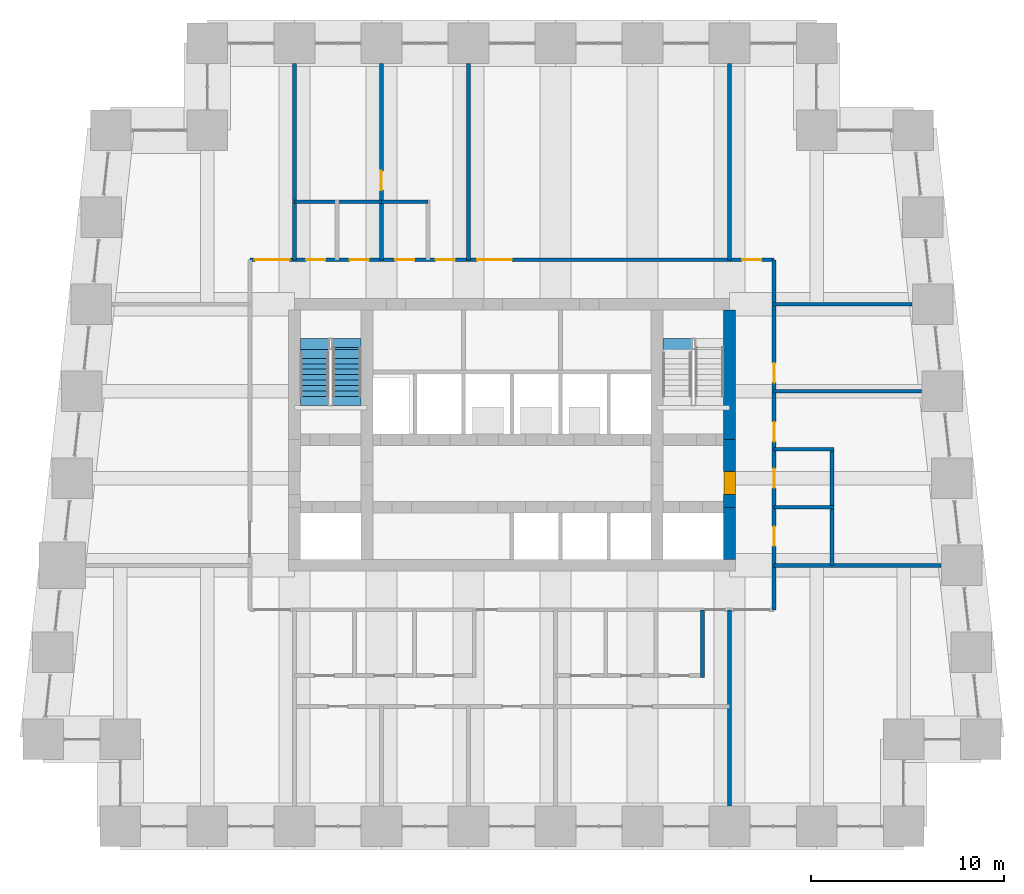
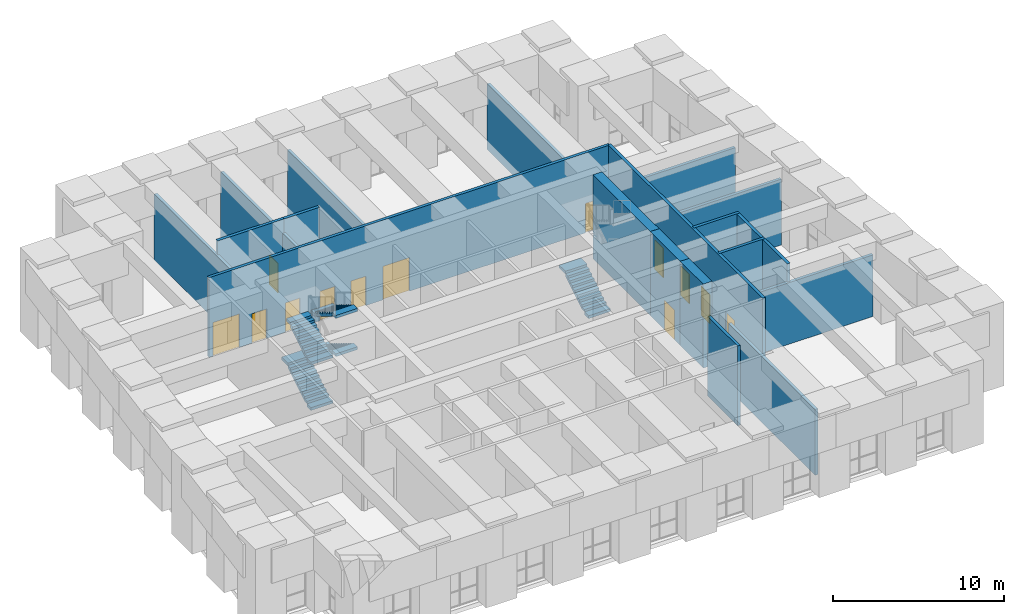
# One storey, part 13 of 17: 19 walls, 13 doors, 5 stair flights, 13 openings, 2 elements without a shape of their own.
"""IFC4 building model written with IfcOpenShell, lengths in metres."""

import ifcopenshell
import ifcopenshell.guid

model = None  # the IFC model being written
_history = None  # IfcOwnerHistory: only IFC2X3 demands one
_inside = {}  # id of a spatial element -> (the spatial element, [elements in it])
_under = {}  # id of a project, library or spatial element -> (it, [spatial elements below it])
_declared = {}  # id of a project -> (the project, [libraries it declares])
_typed = {}  # id of a type object -> (the type object, [elements of that type])
_made_of = {}  # id of a material, layer set ... -> (it, [elements and type objects made of it])


def new_model(schema):
    """Start an empty IFC model of exactly this schema.

    Asked for "IFC4X3", IfcOpenShell would pick the latest addendum, in which some entities
    have other attributes; the version numbers below select the first issue.
    IFC2X3 requires an IfcOwnerHistory on every rooted entity: one is made here for all.
    """
    global model, _history
    if schema == "IFC4X3":
        model = ifcopenshell.file(schema_version=(4, 3, 0, 0))
    else:
        model = ifcopenshell.file(schema=schema)
    _inside.clear()
    _under.clear()
    _declared.clear()
    _typed.clear()
    _made_of.clear()
    _history = None
    if model.schema == "IFC2X3":
        org = make("IfcOrganization", Name="unknown")
        user = make(
            "IfcPersonAndOrganization",
            ThePerson=make("IfcPerson", FamilyName="unknown"),
            TheOrganization=org,
        )
        app = make(
            "IfcApplication",
            ApplicationDeveloper=org,
            Version="unknown",
            ApplicationFullName="unknown",
            ApplicationIdentifier="unknown",
        )
        _history = make(
            "IfcOwnerHistory",
            OwningUser=user,
            OwningApplication=app,
            ChangeAction="ADDED",
            CreationDate=0,
        )
    return model


def make(cls, **values):
    """One entity of the class cls with the attributes given. An attribute that is None is left unset."""
    return model.create_entity(
        cls, **{name: value for name, value in values.items() if value is not None}
    )


def rooted(cls, **values):
    """An entity with a GlobalId (a new one), such as an element, a storey or a relation."""
    return make(cls, GlobalId=ifcopenshell.guid.new(), OwnerHistory=_history, **values)


def si_unit(unit_type, name, prefix=None):
    """IfcSIUnit, for example si_unit("LENGTHUNIT", "METRE", prefix="MILLI")."""
    return make("IfcSIUnit", UnitType=unit_type, Prefix=prefix, Name=name)


def assignment(units):
    """IfcUnitAssignment: the units of a project."""
    return None if units is None else make("IfcUnitAssignment", Units=units)


def point(xyz):
    """IfcCartesianPoint."""
    return None if xyz is None else make("IfcCartesianPoint", Coordinates=xyz)


def direction(xyz):
    """IfcDirection."""
    return None if xyz is None else make("IfcDirection", DirectionRatios=xyz)


def frame(location, z_axis=None, x_axis=None):
    """IfcAxis2Placement3D, a coordinate frame: its origin and axes. An axis left out is left unset."""
    return make(
        "IfcAxis2Placement3D",
        Location=point(location),
        Axis=direction(z_axis),
        RefDirection=direction(x_axis),
    )


def frame_2d(location, x_axis=None):
    """IfcAxis2Placement2D, a coordinate frame in the plane: its origin and x axis."""
    return make(
        "IfcAxis2Placement2D", Location=point(location), RefDirection=direction(x_axis)
    )


def origin():
    """The frame at (0, 0, 0) with its axes left unset."""
    return frame((0.0, 0.0, 0.0))


def place(relative_to, where):
    """IfcLocalPlacement: puts the frame where relative to a parent placement (None: the world)."""
    return make(
        "IfcLocalPlacement", PlacementRelTo=relative_to, RelativePlacement=where
    )


def context(
    kind, dimensions, precision=None, world=None, true_north=None, identifier=None
):
    """IfcGeometricRepresentationContext, for example the 3D "Model" context."""
    return make(
        "IfcGeometricRepresentationContext",
        ContextIdentifier=identifier,
        ContextType=kind,
        CoordinateSpaceDimension=dimensions,
        Precision=precision,
        WorldCoordinateSystem=world,
        TrueNorth=true_north,
    )


def subcontext(parent, identifier, kind, view, scale=None):
    """IfcGeometricRepresentationSubContext, for example "Body" below "Model"."""
    return make(
        "IfcGeometricRepresentationSubContext",
        ContextIdentifier=identifier,
        ContextType=kind,
        ParentContext=parent,
        TargetScale=scale,
        TargetView=view,
    )


def project(units=None, contexts=None):
    """IfcProject with its units and contexts."""
    return rooted(
        "IfcProject",
        Name="project",
        RepresentationContexts=contexts,
        UnitsInContext=assignment(units),
    )


def spatial(cls, under=None, at=None, **own):
    """A site, building, storey or space (cls), placed at a placement, below another one or the project."""
    s = rooted(cls, ObjectPlacement=at, **own)
    if under is not None:
        _under.setdefault(under.id(), (under, []))[1].append(s)
    return s


def polyline(points):
    """IfcPolyline through the points."""
    return make("IfcPolyline", Points=[point(p) for p in points])


def profile(cls, at=None, kind="AREA", **sizes):
    """A parametric profile (cls). Its sizes go by their IFC names, for example OverallWidth=200.0."""
    return make(cls, ProfileType=kind, Position=at, **sizes)


def rectangle(**sizes):
    """IfcRectangleProfileDef."""
    return profile("IfcRectangleProfileDef", **sizes)


def outline(outer, holes=None, kind="AREA"):
    """IfcArbitraryClosedProfileDef: a profile drawn as a closed curve; with holes, ...WithVoids."""
    if holes is None:
        return make("IfcArbitraryClosedProfileDef", ProfileType=kind, OuterCurve=outer)
    return make(
        "IfcArbitraryProfileDefWithVoids",
        ProfileType=kind,
        OuterCurve=outer,
        InnerCurves=holes,
    )


def extrude(swept, where, along, depth):
    """IfcExtrudedAreaSolid: the profile swept, set in the frame where, extruded along a direction by depth."""
    return make(
        "IfcExtrudedAreaSolid",
        SweptArea=swept,
        Position=where,
        ExtrudedDirection=direction(along),
        Depth=depth,
    )


def shape(context_of_items, identifier, shape_type, items):
    """IfcShapeRepresentation: the items that make up one representation, for example the "Body"."""
    return make(
        "IfcShapeRepresentation",
        ContextOfItems=context_of_items,
        RepresentationIdentifier=identifier,
        RepresentationType=shape_type,
        Items=items,
    )


def material(Name=None, Category=None):
    """IfcMaterial."""
    return make("IfcMaterial", Name=Name, Category=Category)


def layer(
    of_material, thickness, ventilated=None, Name=None, Category=None, Priority=None
):
    """IfcMaterialLayer: one layer of a wall or slab, of a material (None: an air gap)."""
    return make(
        "IfcMaterialLayer",
        Material=of_material,
        LayerThickness=thickness,
        IsVentilated=ventilated,
        Name=Name,
        Category=Category,
        Priority=Priority,
    )


def layer_set(layers, Name=None):
    """IfcMaterialLayerSet."""
    return make("IfcMaterialLayerSet", MaterialLayers=layers, LayerSetName=Name)


def made_of(thing, what):
    """Note that an element or type object is made of a material, layer set ...; save() writes the relation."""
    if what is not None:
        _made_of.setdefault(what.id(), (what, []))[1].append(thing)
    return thing


def type_object(cls, material=None, **own):
    """A type object (cls), such as IfcWallType, which elements share."""
    return made_of(rooted(cls, **own), material)


def element(
    cls,
    number,
    at=None,
    inside=None,
    cuts=None,
    type_object=None,
    material=None,
    context=None,
    identifier="Body",
    shape_type=None,
    held_by="IfcProductDefinitionShape",
    body=None,
    shapes=None,
    **own,
):
    """One element of the class cls, such as IfcWall. Its Tag is "e" and its number.

    at: its placement. inside: the storey or other place that contains it. cuts: it is an
    opening in that element (IfcRelVoidsElement). A single representation is given by context,
    identifier, shape_type and body (its items); several are given by shapes. held_by: the class
    of the entity that holds the representations. save() writes the other relations.
    """
    e = rooted(cls, Tag="e%d" % number, ObjectPlacement=at, **own)
    if body is not None:
        shapes = [shape(context, identifier, shape_type, body)]
    if shapes is not None:
        e.Representation = make(held_by, Representations=shapes)
    if inside is not None:
        _inside.setdefault(inside.id(), (inside, []))[1].append(e)
    if cuts is not None:
        rooted(
            "IfcRelVoidsElement", RelatingBuildingElement=cuts, RelatedOpeningElement=e
        )
    if type_object is not None:
        _typed.setdefault(type_object.id(), (type_object, []))[1].append(e)
    return made_of(e, material)


def fill(opening, filler):
    """IfcRelFillsElement: the door or window that sits in an opening."""
    return rooted(
        "IfcRelFillsElement",
        RelatingOpeningElement=opening,
        RelatedBuildingElement=filler,
    )


def aggregate(whole, parts):
    """IfcRelAggregates: a whole, such as a stair, and the parts it consists of."""
    return rooted("IfcRelAggregates", RelatingObject=whole, RelatedObjects=parts)


def save(model, path):
    """Write the relations noted so far, then the file.

    IfcRelAggregates (storeys below a building ...), IfcRelContainedInSpatialStructure (elements
    in a storey), IfcRelDefinesByType, IfcRelAssociatesMaterial and IfcRelDeclares: one each for
    every whole, place, type object, material and project.
    """
    for whole, parts in _under.values():
        aggregate(whole, parts)
    for where, things in _inside.values():
        rooted(
            "IfcRelContainedInSpatialStructure",
            RelatedElements=things,
            RelatingStructure=where,
        )
    for kind, things in _typed.values():
        rooted("IfcRelDefinesByType", RelatedObjects=things, RelatingType=kind)
    for what, things in _made_of.values():
        rooted("IfcRelAssociatesMaterial", RelatedObjects=things, RelatingMaterial=what)
    for by, libraries in _declared.values():
        rooted("IfcRelDeclares", RelatingContext=by, RelatedDefinitions=libraries)
    model.write(path)


model = new_model("IFC4")

# Units and contexts
model_context = context("Model", 3, precision=1e-05, world=origin(), true_north=direction((0.0, 1.0)))
body_context = subcontext(model_context, "Body", "Model", "MODEL_VIEW")
ifc_project = project(units=[si_unit("LENGTHUNIT", "METRE"), si_unit("AREAUNIT", "SQUARE_METRE"), si_unit("VOLUMEUNIT", "CUBIC_METRE"), si_unit("PLANEANGLEUNIT", "RADIAN"), si_unit("MASSUNIT", "GRAM", prefix="KILO")], contexts=[model_context])

# Site, building, storey
site_placement = place(None, origin())
site = spatial("IfcSite", under=ifc_project, at=site_placement, CompositionType="ELEMENT")
building_placement = place(site_placement, origin())
building = spatial("IfcBuilding", under=site, at=building_placement, Name="Kilele Tower Hotel", CompositionType="ELEMENT")
storey_placement = place(building_placement, frame((0.0, 0.0, 145.89990234375)))
storey = spatial("IfcBuildingStorey", under=building, at=storey_placement, Name="L38", CompositionType="ELEMENT", Elevation=145.89990234375)

# Wall
ifc_material_1 = material(Name="Concrete C60/75", Category="concrete")
ifc_layer_1 = layer(ifc_material_1, 0.60009765625)
ifc_layer_set_1 = layer_set([ifc_layer_1], Name="Concrete C60/75")
wall_type_1 = type_object("IfcWallType", Name="Core wall 600 C60/75", PredefinedType="SHEAR", material=ifc_layer_set_1)
wall_1_placement = place(storey_placement, frame((36.0, 13.800048828125, 0.0), z_axis=(0.0, 0.0, 1.0), x_axis=(0.0, 1.0, 0.0)))
element("IfcWall", 1, at=wall_1_placement, inside=storey, type_object=wall_type_1, Name="Core wall E1 L38", PredefinedType="SHEAR", context=body_context, shape_type="SweptSolid", body=[
    extrude(rectangle(XDim=2.699951171875, YDim=0.60009765625, at=frame_2d((1.35009765625, 0.0))), origin(), (0.0, 0.0, 1.0), 6.0),
])

# Wall, opening, door
wall_2_placement = place(storey_placement, frame((36.0, 16.5, 0.0), z_axis=(0.0, 0.0, 1.0), x_axis=(0.0, 1.0, 0.0)))
wall_2 = element("IfcWall", 2, at=wall_2_placement, inside=storey, type_object=wall_type_1, Name="Core wall E2 L38", PredefinedType="SHEAR", context=body_context, shape_type="SweptSolid", body=[
    extrude(rectangle(XDim=3.5, YDim=0.60009765625, at=frame_2d((1.75, 0.0))), origin(), (0.0, 0.0, 1.0), 6.0),
])
opening_1_placement = place(wall_2_placement, frame((0.64990234375, 0.0, 0.0)))
opening_1 = element("IfcOpeningElement", 3, at=opening_1_placement, cuts=wall_2, Name="Opening D4", PredefinedType="OPENING", context=body_context, shape_type="SweptSolid", body=[
    extrude(rectangle(XDim=1.199951171875, YDim=2.10009765625, at=frame_2d((0.60009765625, 1.050048828125))), frame((0.0, 0.31005859375, 0.0), z_axis=(0.0, -1.0, 0.0), x_axis=(1.0, 0.0, 0.0)), (0.0, 0.0, 1.0), 0.6201171875),
])
ifc_material_2 = material(Name="Timber door leaf in hardwood frame", Category="wood")
door_type_1 = type_object("IfcDoorType", Name="Firefighting lobby door 1200", OperationType="SINGLE_SWING_LEFT", PredefinedType="DOOR", material=ifc_material_2)
door_1_placement = place(opening_1_placement, origin())
door_1 = element("IfcDoor", 4, at=door_1_placement, inside=storey, type_object=door_type_1, Name="Lobby door L38", OperationType="SINGLE_SWING_LEFT", OverallHeight=2.10009765625, OverallWidth=1.199951171875, PredefinedType="DOOR", context=body_context, shape_type="SweptSolid", body=[
    extrude(rectangle(XDim=1.199951171875, YDim=2.10009765625, at=frame_2d((0.60009765625, 1.050048828125))), frame((0.0, 0.2998046875, 0.0), z_axis=(0.0, -1.0, 0.0), x_axis=(1.0, 0.0, 0.0)), (0.0, 0.0, 1.0), 0.599609375),
])
fill(opening_1, door_1)

# Wall
wall_3_placement = place(storey_placement, frame((36.0, 20.0, 0.0), z_axis=(0.0, 0.0, 1.0), x_axis=(0.0, 1.0, 0.0)))
element("IfcWall", 5, at=wall_3_placement, inside=storey, type_object=wall_type_1, Name="Core wall E3 L38", PredefinedType="SHEAR", context=body_context, shape_type="SweptSolid", body=[
    extrude(rectangle(XDim=6.699951171875, YDim=0.60009765625, at=frame_2d((3.35009765625, 0.0))), origin(), (0.0, 0.0, 1.0), 6.0),
])

# Wall, openings, doors
ifc_material_3 = material(Name="Blockwork, plastered both sides", Category="masonry")
ifc_layer_2 = layer(ifc_material_3, 0.199951171875)
ifc_layer_set_2 = layer_set([ifc_layer_2], Name="Blockwork, plastered both sides")
wall_type_2 = type_object("IfcWallType", Name="Corridor wall 200", PredefinedType="PARTITIONING", material=ifc_layer_set_2)
wall_4_placement = place(storey_placement, frame((38.300048828125, 11.199951171875, 0.0), z_axis=(0.0, 0.0, 1.0), x_axis=(0.0, 1.0, 0.0)))
wall_4 = element("IfcWall", 6, at=wall_4_placement, inside=storey, type_object=wall_type_2, Name="Corridor wall 200 L38", PredefinedType="PARTITIONING", context=body_context, shape_type="SweptSolid", body=[
    extrude(rectangle(XDim=18.10009765625, YDim=0.199951171875, at=frame_2d((9.050048828125, 0.0))), origin(), (0.0, 0.0, 1.0), 5.7001953125),
])
opening_2_placement = place(wall_4_placement, frame((4.300048828125, 0.0, 0.0), z_axis=(0.0, 0.0, 1.0), x_axis=(-1.0, 0.0, 0.0)))
opening_2 = element("IfcOpeningElement", 7, at=opening_2_placement, cuts=wall_4, Name="Opening D8", PredefinedType="OPENING", context=body_context, shape_type="SweptSolid", body=[
    extrude(rectangle(XDim=1.0, YDim=2.10009765625, at=frame_2d((0.5, 1.050048828125))), frame((0.0, 0.10986328125, 0.0), z_axis=(0.0, -1.0, 0.0), x_axis=(1.0, 0.0, 0.0)), (0.0, 0.0, 1.0), 0.219970703125),
])
opening_3_placement = place(wall_4_placement, frame((7.300048828125, 0.0, 0.0), z_axis=(0.0, 0.0, 1.0), x_axis=(-1.0, 0.0, 0.0)))
opening_3 = element("IfcOpeningElement", 8, at=opening_3_placement, cuts=wall_4, Name="Opening D8", PredefinedType="OPENING", context=body_context, shape_type="SweptSolid", body=[
    extrude(rectangle(XDim=1.0, YDim=2.10009765625, at=frame_2d((0.5, 1.050048828125))), frame((0.0, 0.10986328125, 0.0), z_axis=(0.0, -1.0, 0.0), x_axis=(1.0, 0.0, 0.0)), (0.0, 0.0, 1.0), 0.219970703125),
])
opening_4_placement = place(wall_4_placement, frame((9.699951171875, 0.0, 0.0), z_axis=(0.0, 0.0, 1.0), x_axis=(-1.0, 0.0, 0.0)))
opening_4 = element("IfcOpeningElement", 9, at=opening_4_placement, cuts=wall_4, Name="Opening D8", PredefinedType="OPENING", context=body_context, shape_type="SweptSolid", body=[
    extrude(rectangle(XDim=1.0, YDim=2.10009765625, at=frame_2d((0.5, 1.050048828125))), frame((0.0, 0.10986328125, 0.0), z_axis=(0.0, -1.0, 0.0), x_axis=(1.0, 0.0, 0.0)), (0.0, 0.0, 1.0), 0.219970703125),
])
opening_5_placement = place(wall_4_placement, frame((12.75, 0.0, 0.0), z_axis=(0.0, 0.0, 1.0), x_axis=(-1.0, 0.0, 0.0)))
opening_5 = element("IfcOpeningElement", 10, at=opening_5_placement, cuts=wall_4, Name="Opening D8", PredefinedType="OPENING", context=body_context, shape_type="SweptSolid", body=[
    extrude(rectangle(XDim=1.0, YDim=2.10009765625, at=frame_2d((0.5, 1.050048828125))), frame((0.0, 0.10986328125, 0.0), z_axis=(0.0, -1.0, 0.0), x_axis=(1.0, 0.0, 0.0)), (0.0, 0.0, 1.0), 0.219970703125),
])
ifc_material_4 = material(Name="Timber door leaf in hardwood frame", Category="wood")
door_type_2 = type_object("IfcDoorType", Name="Door 1000", OperationType="SINGLE_SWING_LEFT", PredefinedType="DOOR", material=ifc_material_4)
door_2_placement = place(opening_2_placement, origin())
door_2 = element("IfcDoor", 11, at=door_2_placement, inside=storey, type_object=door_type_2, Name="Door Spa treatment room 4 3813", OperationType="SINGLE_SWING_RIGHT", OverallHeight=2.10009765625, OverallWidth=1.0, PredefinedType="DOOR", context=body_context, shape_type="SweptSolid", body=[
    extrude(rectangle(XDim=1.0, YDim=2.10009765625, at=frame_2d((0.5, 1.050048828125))), frame((0.0, 0.02490234375, 0.0), z_axis=(0.0, -1.0, 0.0), x_axis=(1.0, 0.0, 0.0)), (0.0, 0.0, 1.0), 0.050048828125),
])
fill(opening_2, door_2)
door_3_placement = place(opening_3_placement, origin())
door_3 = element("IfcDoor", 12, at=door_3_placement, inside=storey, type_object=door_type_2, Name="Door Spa treatment room 5 3814", OperationType="SINGLE_SWING_RIGHT", OverallHeight=2.10009765625, OverallWidth=1.0, PredefinedType="DOOR", context=body_context, shape_type="SweptSolid", body=[
    extrude(rectangle(XDim=1.0, YDim=2.10009765625, at=frame_2d((0.5, 1.050048828125))), frame((0.0, 0.02490234375, 0.0), z_axis=(0.0, -1.0, 0.0), x_axis=(1.0, 0.0, 0.0)), (0.0, 0.0, 1.0), 0.050048828125),
])
fill(opening_3, door_3)
door_4_placement = place(opening_4_placement, origin())
door_4 = element("IfcDoor", 13, at=door_4_placement, inside=storey, type_object=door_type_2, Name="Door Spa changing room 3815", OperationType="SINGLE_SWING_RIGHT", OverallHeight=2.10009765625, OverallWidth=1.0, PredefinedType="DOOR", context=body_context, shape_type="SweptSolid", body=[
    extrude(rectangle(XDim=1.0, YDim=2.10009765625, at=frame_2d((0.5, 1.050048828125))), frame((0.0, 0.02490234375, 0.0), z_axis=(0.0, -1.0, 0.0), x_axis=(1.0, 0.0, 0.0)), (0.0, 0.0, 1.0), 0.050048828125),
])
fill(opening_4, door_4)
door_5_placement = place(opening_5_placement, origin())
door_5 = element("IfcDoor", 14, at=door_5_placement, inside=storey, type_object=door_type_2, Name="Door Spa linen store 3816", OperationType="SINGLE_SWING_RIGHT", OverallHeight=2.10009765625, OverallWidth=1.0, PredefinedType="DOOR", context=body_context, shape_type="SweptSolid", body=[
    extrude(rectangle(XDim=1.0, YDim=2.10009765625, at=frame_2d((0.5, 1.050048828125))), frame((0.0, 0.02490234375, 0.0), z_axis=(0.0, -1.0, 0.0), x_axis=(1.0, 0.0, 0.0)), (0.0, 0.0, 1.0), 0.050048828125),
])
fill(opening_5, door_5)

wall_5_placement = place(storey_placement, frame((11.199951171875, 29.300048828125, 0.0), z_axis=(0.0, 0.0, 1.0), x_axis=(1.0, 0.0, 0.0)))
wall_5 = element("IfcWall", 15, at=wall_5_placement, inside=storey, type_object=wall_type_2, Name="Corridor wall 200 L38", PredefinedType="PARTITIONING", context=body_context, shape_type="SweptSolid", body=[
    extrude(rectangle(XDim=27.10009765625, YDim=0.199951171875, at=frame_2d((13.550048828125, 0.0))), origin(), (0.0, 0.0, 1.0), 5.7001953125),
])
opening_6_placement = place(wall_5_placement, frame((2.89990234375, 0.0, 0.0)))
opening_6 = element("IfcOpeningElement", 16, at=opening_6_placement, cuts=wall_5, Name="Opening D8", PredefinedType="OPENING", context=body_context, shape_type="SweptSolid", body=[
    extrude(rectangle(XDim=1.0, YDim=2.10009765625, at=frame_2d((0.5, 1.050048828125))), frame((0.0, 0.10986328125, 0.0), z_axis=(0.0, -1.0, 0.0), x_axis=(1.0, 0.0, 0.0)), (0.0, 0.0, 1.0), 0.219970703125),
])
opening_7_placement = place(wall_5_placement, frame((5.14990234375, 0.0, 0.0)))
opening_7 = element("IfcOpeningElement", 17, at=opening_7_placement, cuts=wall_5, Name="Opening D8", PredefinedType="OPENING", context=body_context, shape_type="SweptSolid", body=[
    extrude(rectangle(XDim=1.0, YDim=2.10009765625, at=frame_2d((0.5, 1.050048828125))), frame((0.0, 0.10986328125, 0.0), z_axis=(0.0, -1.0, 0.0), x_axis=(1.0, 0.0, 0.0)), (0.0, 0.0, 1.0), 0.219970703125),
])
opening_8_placement = place(wall_5_placement, frame((7.5, 0.0, 0.0)))
opening_8 = element("IfcOpeningElement", 18, at=opening_8_placement, cuts=wall_5, Name="Opening D8", PredefinedType="OPENING", context=body_context, shape_type="SweptSolid", body=[
    extrude(rectangle(XDim=1.0, YDim=2.10009765625, at=frame_2d((0.5, 1.050048828125))), frame((0.0, 0.10986328125, 0.0), z_axis=(0.0, -1.0, 0.0), x_axis=(1.0, 0.0, 0.0)), (0.0, 0.0, 1.0), 0.219970703125),
])
opening_9_placement = place(wall_5_placement, frame((9.60009765625, 0.0, 0.0)))
opening_9 = element("IfcOpeningElement", 19, at=opening_9_placement, cuts=wall_5, Name="Opening D8", PredefinedType="OPENING", context=body_context, shape_type="SweptSolid", body=[
    extrude(rectangle(XDim=1.0, YDim=2.10009765625, at=frame_2d((0.5, 1.050048828125))), frame((0.0, 0.10986328125, 0.0), z_axis=(0.0, -1.0, 0.0), x_axis=(1.0, 0.0, 0.0)), (0.0, 0.0, 1.0), 0.219970703125),
])
opening_10_placement = place(wall_5_placement, frame((11.75, 0.0, 0.0)))
opening_10 = element("IfcOpeningElement", 20, at=opening_10_placement, cuts=wall_5, Name="Opening D9", PredefinedType="OPENING", context=body_context, shape_type="SweptSolid", body=[
    extrude(rectangle(XDim=1.800048828125, YDim=2.39990234375, at=frame_2d((0.89990234375, 1.199951171875))), frame((0.0, 0.10986328125, 0.0), z_axis=(0.0, -1.0, 0.0), x_axis=(1.0, 0.0, 0.0)), (0.0, 0.0, 1.0), 0.219970703125),
])
opening_11_placement = place(wall_5_placement, frame((2.050048828125, 0.0, 0.0), z_axis=(0.0, 0.0, 1.0), x_axis=(-1.0, 0.0, 0.0)))
opening_11 = element("IfcOpeningElement", 21, at=opening_11_placement, cuts=wall_5, Name="Opening D9", PredefinedType="OPENING", context=body_context, shape_type="SweptSolid", body=[
    extrude(rectangle(XDim=1.800048828125, YDim=2.39990234375, at=frame_2d((0.89990234375, 1.199951171875))), frame((0.0, 0.10986328125, 0.0), z_axis=(0.0, -1.0, 0.0), x_axis=(1.0, 0.0, 0.0)), (0.0, 0.0, 1.0), 0.219970703125),
])
opening_12_placement = place(wall_5_placement, frame((25.449951171875, 0.0, 0.0)))
opening_12 = element("IfcOpeningElement", 22, at=opening_12_placement, cuts=wall_5, Name="Opening D8", PredefinedType="OPENING", context=body_context, shape_type="SweptSolid", body=[
    extrude(rectangle(XDim=1.0, YDim=2.10009765625, at=frame_2d((0.5, 1.050048828125))), frame((0.0, 0.10986328125, 0.0), z_axis=(0.0, -1.0, 0.0), x_axis=(1.0, 0.0, 0.0)), (0.0, 0.0, 1.0), 0.219970703125),
])
door_6_placement = place(opening_6_placement, origin())
door_6 = element("IfcDoor", 23, at=door_6_placement, inside=storey, type_object=door_type_2, Name="Door WC women 3817", OperationType="SINGLE_SWING_LEFT", OverallHeight=2.10009765625, OverallWidth=1.0, PredefinedType="DOOR", context=body_context, shape_type="SweptSolid", body=[
    extrude(rectangle(XDim=1.0, YDim=2.10009765625, at=frame_2d((0.5, 1.050048828125))), frame((0.0, 0.02490234375, 0.0), z_axis=(0.0, -1.0, 0.0), x_axis=(1.0, 0.0, 0.0)), (0.0, 0.0, 1.0), 0.050048828125),
])
fill(opening_6, door_6)
door_7_placement = place(opening_7_placement, origin())
door_7 = element("IfcDoor", 24, at=door_7_placement, inside=storey, type_object=door_type_2, Name="Door WC men 3818", OperationType="SINGLE_SWING_LEFT", OverallHeight=2.10009765625, OverallWidth=1.0, PredefinedType="DOOR", context=body_context, shape_type="SweptSolid", body=[
    extrude(rectangle(XDim=1.0, YDim=2.10009765625, at=frame_2d((0.5, 1.050048828125))), frame((0.0, 0.02490234375, 0.0), z_axis=(0.0, -1.0, 0.0), x_axis=(1.0, 0.0, 0.0)), (0.0, 0.0, 1.0), 0.050048828125),
])
fill(opening_7, door_7)
door_8_placement = place(opening_8_placement, origin())
door_8 = element("IfcDoor", 25, at=door_8_placement, inside=storey, type_object=door_type_2, Name="Door Accessible WC 3820", OperationType="SINGLE_SWING_LEFT", OverallHeight=2.10009765625, OverallWidth=1.0, PredefinedType="DOOR", context=body_context, shape_type="SweptSolid", body=[
    extrude(rectangle(XDim=1.0, YDim=2.10009765625, at=frame_2d((0.5, 1.050048828125))), frame((0.0, 0.02490234375, 0.0), z_axis=(0.0, -1.0, 0.0), x_axis=(1.0, 0.0, 0.0)), (0.0, 0.0, 1.0), 0.050048828125),
])
fill(opening_8, door_8)
door_9_placement = place(opening_9_placement, origin())
door_9 = element("IfcDoor", 26, at=door_9_placement, inside=storey, type_object=door_type_2, Name="Door Concierge office 3821", OperationType="SINGLE_SWING_LEFT", OverallHeight=2.10009765625, OverallWidth=1.0, PredefinedType="DOOR", context=body_context, shape_type="SweptSolid", body=[
    extrude(rectangle(XDim=1.0, YDim=2.10009765625, at=frame_2d((0.5, 1.050048828125))), frame((0.0, 0.02490234375, 0.0), z_axis=(0.0, -1.0, 0.0), x_axis=(1.0, 0.0, 0.0)), (0.0, 0.0, 1.0), 0.050048828125),
])
fill(opening_9, door_9)
door_10_placement = place(opening_12_placement, origin())
door_10 = element("IfcDoor", 27, at=door_10_placement, inside=storey, type_object=door_type_2, Name="Door Back-of-house office 3827", OperationType="SINGLE_SWING_LEFT", OverallHeight=2.10009765625, OverallWidth=1.0, PredefinedType="DOOR", context=body_context, shape_type="SweptSolid", body=[
    extrude(rectangle(XDim=1.0, YDim=2.10009765625, at=frame_2d((0.5, 1.050048828125))), frame((0.0, 0.02490234375, 0.0), z_axis=(0.0, -1.0, 0.0), x_axis=(1.0, 0.0, 0.0)), (0.0, 0.0, 1.0), 0.050048828125),
])
fill(opening_12, door_10)
ifc_material_5 = material(Name="Timber door leaf in hardwood frame", Category="wood")
door_type_3 = type_object("IfcDoorType", Name="Double door 1800", OperationType="DOUBLE_DOOR_SINGLE_SWING", PredefinedType="DOOR", material=ifc_material_5)
door_11_placement = place(opening_10_placement, origin())
door_11 = element("IfcDoor", 28, at=door_11_placement, inside=storey, type_object=door_type_3, Name="Door Reception and concierge 3822", OperationType="DOUBLE_DOOR_SINGLE_SWING", OverallHeight=2.39990234375, OverallWidth=1.800048828125, PredefinedType="DOOR", context=body_context, shape_type="SweptSolid", body=[
    extrude(rectangle(XDim=1.800048828125, YDim=2.39990234375, at=frame_2d((0.89990234375, 1.199951171875))), frame((0.0, 0.02490234375, 0.0), z_axis=(0.0, -1.0, 0.0), x_axis=(1.0, 0.0, 0.0)), (0.0, 0.0, 1.0), 0.050048828125),
])
fill(opening_10, door_11)
door_12_placement = place(opening_11_placement, origin())
door_12 = element("IfcDoor", 29, at=door_12_placement, inside=storey, type_object=door_type_3, Name="Door Pool hall 3826", OperationType="DOUBLE_DOOR_SINGLE_SWING", OverallHeight=2.39990234375, OverallWidth=1.800048828125, PredefinedType="DOOR", context=body_context, shape_type="SweptSolid", body=[
    extrude(rectangle(XDim=1.800048828125, YDim=2.39990234375, at=frame_2d((0.89990234375, 1.199951171875))), frame((0.0, 0.02490234375, 0.0), z_axis=(0.0, -1.0, 0.0), x_axis=(1.0, 0.0, 0.0)), (0.0, 0.0, 1.0), 0.050048828125),
])
fill(opening_11, door_12)

# Walls
ifc_material_6 = material(Name="Blockwork, plastered both sides", Category="masonry")
ifc_layer_3 = layer(ifc_material_6, 0.199951171875)
ifc_layer_set_3 = layer_set([ifc_layer_3], Name="Blockwork, plastered both sides")
wall_type_3 = type_object("IfcWallType", Name="Partition wall 200", PredefinedType="PARTITIONING", material=ifc_layer_set_3)
wall_6_placement = place(storey_placement, frame((36.0, 11.199951171875, 0.0), z_axis=(0.0, 0.0, 1.0), x_axis=(0.0, -1.0, 0.0)))
element("IfcWall", 30, at=wall_6_placement, inside=storey, type_object=wall_type_3, Name="Partition wall 200 L38", PredefinedType="PARTITIONING", context=body_context, shape_type="SweptSolid", body=[
    extrude(rectangle(XDim=10.14990234375, YDim=0.199951171875, at=frame_2d((5.074951171875, 0.0))), origin(), (0.0, 0.0, 1.0), 4.7001953125),
])
wall_7_placement = place(storey_placement, frame((38.300048828125, 13.5, 0.0), z_axis=(0.0, 0.0, 1.0), x_axis=(1.0, 0.0, 0.0)))
element("IfcWall", 31, at=wall_7_placement, inside=storey, type_object=wall_type_3, Name="Partition wall 200 L38", PredefinedType="PARTITIONING", context=body_context, shape_type="SweptSolid", body=[
    extrude(rectangle(XDim=8.63916015625, YDim=0.199951171875, at=frame_2d((4.319580078125, 0.0))), origin(), (0.0, 0.0, 1.0), 4.400146484375),
])
wall_8_placement = place(storey_placement, frame((38.300048828125, 22.5, 0.0), z_axis=(0.0, 0.0, 1.0), x_axis=(1.0, 0.0, 0.0)))
element("IfcWall", 32, at=wall_8_placement, inside=storey, type_object=wall_type_3, Name="Partition wall 200 L38", PredefinedType="PARTITIONING", context=body_context, shape_type="SweptSolid", body=[
    extrude(rectangle(XDim=7.63916015625, YDim=0.199951171875, at=frame_2d((3.819580078125, 0.0))), origin(), (0.0, 0.0, 1.0), 4.7001953125),
])
wall_9_placement = place(storey_placement, frame((38.300048828125, 27.0, 0.0), z_axis=(0.0, 0.0, 1.0), x_axis=(1.0, 0.0, 0.0)))
element("IfcWall", 33, at=wall_9_placement, inside=storey, type_object=wall_type_3, Name="Partition wall 200 L38", PredefinedType="PARTITIONING", context=body_context, shape_type="SweptSolid", body=[
    extrude(rectangle(XDim=7.13916015625, YDim=0.199951171875, at=frame_2d((3.569580078125, 0.0))), origin(), (0.0, 0.0, 1.0), 4.400146484375),
])
wall_10_placement = place(storey_placement, frame((13.5, 29.300048828125, 0.0), z_axis=(0.0, 0.0, 1.0), x_axis=(0.0, 1.0, 0.0)))
element("IfcWall", 34, at=wall_10_placement, inside=storey, type_object=wall_type_3, Name="Partition wall 200 L38", PredefinedType="PARTITIONING", context=body_context, shape_type="SweptSolid", body=[
    extrude(rectangle(XDim=10.14990234375, YDim=0.199951171875, at=frame_2d((5.074951171875, 0.0))), origin(), (0.0, 0.0, 1.0), 4.7001953125),
])

# Wall, opening, door
wall_11_placement = place(storey_placement, frame((18.0, 29.300048828125, 0.0), z_axis=(0.0, 0.0, 1.0), x_axis=(0.0, 1.0, 0.0)))
wall_11 = element("IfcWall", 35, at=wall_11_placement, inside=storey, type_object=wall_type_3, Name="Partition wall 200 L38", PredefinedType="PARTITIONING", context=body_context, shape_type="SweptSolid", body=[
    extrude(rectangle(XDim=10.14990234375, YDim=0.199951171875, at=frame_2d((5.074951171875, 0.0))), origin(), (0.0, 0.0, 1.0), 4.7001953125),
])
opening_13_placement = place(wall_11_placement, frame((3.60009765625, 0.0, 0.0)))
opening_13 = element("IfcOpeningElement", 36, at=opening_13_placement, cuts=wall_11, Name="Opening D8", PredefinedType="OPENING", context=body_context, shape_type="SweptSolid", body=[
    extrude(rectangle(XDim=1.0, YDim=2.10009765625, at=frame_2d((0.5, 1.050048828125))), frame((0.0, 0.10986328125, 0.0), z_axis=(0.0, -1.0, 0.0), x_axis=(1.0, 0.0, 0.0)), (0.0, 0.0, 1.0), 0.219970703125),
])
door_13_placement = place(opening_13_placement, origin())
door_13 = element("IfcDoor", 37, at=door_13_placement, inside=storey, type_object=door_type_2, Name="Door Porters' luggage store", OperationType="SINGLE_SWING_LEFT", OverallHeight=2.10009765625, OverallWidth=1.0, PredefinedType="DOOR", context=body_context, shape_type="SweptSolid", body=[
    extrude(rectangle(XDim=1.0, YDim=2.10009765625, at=frame_2d((0.5, 1.050048828125))), frame((0.0, 0.02490234375, 0.0), z_axis=(0.0, -1.0, 0.0), x_axis=(1.0, 0.0, 0.0)), (0.0, 0.0, 1.0), 0.050048828125),
])
fill(opening_13, door_13)

# Walls
for number, where, z_axis, x_axis, name in (
    (38, (22.5, 29.300048828125, 0.0), (0.0, 0.0, 1.0), (0.0, 1.0, 0.0), "Partition wall 200 L38"),
    (39, (36.0, 29.300048828125, 0.0), (0.0, 0.0, 1.0), (0.0, 1.0, 0.0), "Partition wall 200 L38"),
):
    element("IfcWall", number, at=place(storey_placement, frame(where, z_axis=z_axis, x_axis=x_axis)), inside=storey, type_object=wall_type_3, Name=name, PredefinedType="PARTITIONING", context=body_context, shape_type="SweptSolid", body=[
        extrude(rectangle(XDim=10.14990234375, YDim=0.199951171875, at=frame_2d((5.074951171875, 0.0))), origin(), (0.0, 0.0, 1.0), 4.7001953125),
    ])
wall_12_placement = place(storey_placement, frame((34.60009765625, 11.199951171875, 0.0), z_axis=(0.0, 0.0, 1.0), x_axis=(0.0, -1.0, 0.0)))
element("IfcWall", 40, at=wall_12_placement, inside=storey, type_object=wall_type_3, Name="Partition wall 200 L38", PredefinedType="PARTITIONING", context=body_context, shape_type="SweptSolid", body=[
    extrude(rectangle(XDim=3.5, YDim=0.199951171875, at=frame_2d((1.75, 0.0))), origin(), (0.0, 0.0, 1.0), 5.7001953125),
])
for number, where, z_axis, x_axis, name in (
    (41, (38.300048828125, 16.5, 0.0), (0.0, 0.0, 1.0), (1.0, 0.0, 0.0), "Partition wall 200 L38"),
    (42, (38.300048828125, 19.5, 0.0), (0.0, 0.0, 1.0), (1.0, 0.0, 0.0), "Partition wall 200 L38"),
):
    element("IfcWall", number, at=place(storey_placement, frame(where, z_axis=z_axis, x_axis=x_axis)), inside=storey, type_object=wall_type_3, Name=name, PredefinedType="PARTITIONING", context=body_context, shape_type="SweptSolid", body=[
        extrude(rectangle(XDim=3.099853515625, YDim=0.199951171875, at=frame_2d((1.5498046875, 0.0))), origin(), (0.0, 0.0, 1.0), 5.7001953125),
    ])
wall_13_placement = place(storey_placement, frame((41.300048828125, 13.5, 0.0), z_axis=(0.0, 0.0, 1.0), x_axis=(0.0, 1.0, 0.0)))
element("IfcWall", 43, at=wall_13_placement, inside=storey, type_object=wall_type_3, Name="Partition wall 200 L38", PredefinedType="PARTITIONING", context=body_context, shape_type="SweptSolid", body=[
    extrude(rectangle(XDim=6.0, YDim=0.199951171875, at=frame_2d((3.0, 0.0))), origin(), (0.0, 0.0, 1.0), 5.7001953125),
])
wall_14_placement = place(storey_placement, frame((13.5, 32.300048828125, 0.0), z_axis=(0.0, 0.0, 1.0), x_axis=(1.0, 0.0, 0.0)))
element("IfcWall", 44, at=wall_14_placement, inside=storey, type_object=wall_type_3, Name="Partition wall 200 L38", PredefinedType="PARTITIONING", context=body_context, shape_type="SweptSolid", body=[
    extrude(rectangle(XDim=4.5, YDim=0.199951171875, at=frame_2d((2.25, 0.0))), origin(), (0.0, 0.0, 1.0), 5.7001953125),
])
wall_15_placement = place(storey_placement, frame((18.0, 32.300048828125, 0.0), z_axis=(0.0, 0.0, 1.0), x_axis=(1.0, 0.0, 0.0)))
element("IfcWall", 45, at=wall_15_placement, inside=storey, type_object=wall_type_3, Name="Partition wall 200 L38", PredefinedType="PARTITIONING", context=body_context, shape_type="SweptSolid", body=[
    extrude(rectangle(XDim=2.39990234375, YDim=0.199951171875, at=frame_2d((1.199951171875, 0.0))), origin(), (0.0, 0.0, 1.0), 5.7001953125),
])

# Stair, stair flights
ifc_material_7 = material(Name="Precast concrete C40/50", Category="concrete")
stair_type = type_object("IfcStairType", Name="Stair 1475 x 6000", PredefinedType="HALF_TURN_STAIR", material=ifc_material_7)
stair_1_placement = place(storey_placement, origin())
stair_1 = element("IfcStair", 46, at=stair_1_placement, inside=storey, type_object=stair_type, Name="Stair 1 L38", PredefinedType="HALF_TURN_STAIR")
ifc_material_8 = material(Name="Precast concrete C40/50", Category="concrete")
stair_flight_type = type_object("IfcStairFlightType", Name="Flight 1475 riser 171.4", PredefinedType="STRAIGHT", material=ifc_material_8)
stair_flight_1_placement = place(storey_placement, frame((14.53759765625, 22.239990234375, 0.0), z_axis=(0.0, 0.0, 1.0), x_axis=(0.0, 1.0, 0.0)))
stair_flight_1 = element("IfcStairFlight", 47, at=stair_flight_1_placement, type_object=stair_flight_type, Name="ST1 flight 1", NumberOfRisers=9, NumberOfTreads=8, PredefinedType="STRAIGHT", RiserHeight=0.171428571, TreadLength=0.28, context=body_context, shape_type="SweptSolid", body=[
    extrude(outline(polyline([(0.0, 0.0), (0.0, 0.17138671875), (0.280029296875, 0.17138671875), (0.280029296875, 0.3427734375), (0.56005859375, 0.3427734375), (0.56005859375, 0.514404296875), (0.840087890625, 0.514404296875), (0.840087890625, 0.685791015625), (1.1201171875, 0.685791015625), (1.1201171875, 0.857177734375), (1.39990234375, 0.857177734375), (1.39990234375, 1.028564453125), (1.679931640625, 1.028564453125), (1.679931640625, 1.199951171875), (1.9599609375, 1.199951171875), (1.9599609375, 1.371337890625), (2.239990234375, 1.371337890625), (2.239990234375, 1.54296875), (2.239990234375, 1.195556640625), (0.287109375, 0.0), (0.0, 0.0)])), frame((0.0, 0.737548828125, 0.0), z_axis=(0.0, -1.0, 0.0), x_axis=(1.0, 0.0, 0.0)), (0.0, 0.0, 1.0), 1.47509765625),
    extrude(outline(polyline([(-0.465087890625, 0.737548828125), (-0.465087890625, -0.7373046875), (0.0, -0.7373046875), (0.0, 0.737548828125), (-0.465087890625, 0.737548828125)])), frame((0.0, 0.0, -0.199951171875)), (0.0, 0.0, 1.0), 0.199951171875),
    extrude(outline(polyline([(2.239990234375, 0.737548828125), (2.239990234375, -0.7373046875), (2.985107421875, -0.7373046875), (2.985107421875, 0.737548828125), (2.239990234375, 0.737548828125)])), frame((0.0, 0.0, 1.343017578125)), (0.0, 0.0, 1.0), 0.199951171875),
])
stair_flight_2_placement = place(storey_placement, frame((16.21240234375, 24.760009765625, 1.54296875), z_axis=(0.0, 0.0, 1.0), x_axis=(0.0, -1.0, 0.0)))
stair_flight_2 = element("IfcStairFlight", 48, at=stair_flight_2_placement, type_object=stair_flight_type, Name="ST1 flight 2", NumberOfRisers=10, NumberOfTreads=9, PredefinedType="STRAIGHT", RiserHeight=0.171428571, TreadLength=0.28, context=body_context, shape_type="SweptSolid", body=[
    extrude(outline(polyline([(0.0, 0.0), (0.0, 0.17138671875), (0.280029296875, 0.17138671875), (0.280029296875, 0.3427734375), (0.56005859375, 0.3427734375), (0.56005859375, 0.514404296875), (0.840087890625, 0.514404296875), (0.840087890625, 0.685791015625), (1.1201171875, 0.685791015625), (1.1201171875, 0.857177734375), (1.39990234375, 0.857177734375), (1.39990234375, 1.028564453125), (1.679931640625, 1.028564453125), (1.679931640625, 1.199951171875), (1.9599609375, 1.199951171875), (1.9599609375, 1.371337890625), (2.239990234375, 1.371337890625), (2.239990234375, 1.54296875), (2.52001953125, 1.54296875), (2.52001953125, 1.71435546875), (2.52001953125, 1.3671875), (0.287109375, 0.0), (0.0, 0.0)])), frame((0.0, 0.737548828125, 0.0), z_axis=(0.0, -1.0, 0.0), x_axis=(1.0, 0.0, 0.0)), (0.0, 0.0, 1.0), 1.47509765625),
    extrude(outline(polyline([(0.0, -0.7373046875), (0.0, 0.737548828125), (-0.465087890625, 0.737548828125), (-0.465087890625, -0.7373046875), (0.0, -0.7373046875)])), frame((0.0, 0.0, -0.199951171875)), (0.0, 0.0, 1.0), 0.199951171875),
    extrude(outline(polyline([(2.985107421875, -0.7373046875), (2.985107421875, 0.737548828125), (2.52001953125, 0.737548828125), (2.52001953125, -0.7373046875), (2.985107421875, -0.7373046875)])), frame((0.0, 0.0, 1.51416015625)), (0.0, 0.0, 1.0), 0.199951171875),
])
stair_flight_3_placement = place(storey_placement, frame((14.53759765625, 22.239990234375, 3.25732421875), z_axis=(0.0, 0.0, 1.0), x_axis=(0.0, 1.0, 0.0)))
stair_flight_3 = element("IfcStairFlight", 49, at=stair_flight_3_placement, type_object=stair_flight_type, Name="ST1 flight 3", NumberOfRisers=8, NumberOfTreads=7, PredefinedType="STRAIGHT", RiserHeight=0.171428571, TreadLength=0.28, context=body_context, shape_type="SweptSolid", body=[
    extrude(outline(polyline([(0.0, 0.0), (0.0, 0.17138671875), (0.280029296875, 0.17138671875), (0.280029296875, 0.3427734375), (0.56005859375, 0.3427734375), (0.56005859375, 0.514404296875), (0.840087890625, 0.514404296875), (0.840087890625, 0.685791015625), (1.1201171875, 0.685791015625), (1.1201171875, 0.857177734375), (1.39990234375, 0.857177734375), (1.39990234375, 1.028564453125), (1.679931640625, 1.028564453125), (1.679931640625, 1.199951171875), (1.9599609375, 1.199951171875), (1.9599609375, 1.371337890625), (1.9599609375, 1.024169921875), (0.287109375, 0.0), (0.0, 0.0)])), frame((0.0, 0.737548828125, 0.0), z_axis=(0.0, -1.0, 0.0), x_axis=(1.0, 0.0, 0.0)), (0.0, 0.0, 1.0), 1.47509765625),
    extrude(outline(polyline([(-0.465087890625, 0.737548828125), (-0.465087890625, -0.7373046875), (0.0, -0.7373046875), (0.0, 0.737548828125), (-0.465087890625, 0.737548828125)])), frame((0.0, 0.0, -0.2001953125)), (0.0, 0.0, 1.0), 0.199951171875),
    extrude(outline(polyline([(1.9599609375, 0.737548828125), (1.9599609375, -0.7373046875), (2.425048828125, -0.7373046875), (2.425048828125, 0.737548828125), (1.9599609375, 0.737548828125)])), frame((0.0, 0.0, 1.17138671875)), (0.0, 0.0, 1.0), 0.199951171875),
])
stair_flight_4_placement = place(storey_placement, frame((16.21240234375, 24.199951171875, 4.628662109375), z_axis=(0.0, 0.0, 1.0), x_axis=(0.0, -1.0, 0.0)))
stair_flight_4 = element("IfcStairFlight", 50, at=stair_flight_4_placement, type_object=stair_flight_type, Name="ST1 flight 4", NumberOfRisers=8, NumberOfTreads=7, PredefinedType="STRAIGHT", RiserHeight=0.171428571, TreadLength=0.28, context=body_context, shape_type="SweptSolid", body=[
    extrude(outline(polyline([(0.0, 0.0), (0.0, 0.17138671875), (0.280029296875, 0.17138671875), (0.280029296875, 0.3427734375), (0.56005859375, 0.3427734375), (0.56005859375, 0.514404296875), (0.840087890625, 0.514404296875), (0.840087890625, 0.685791015625), (1.1201171875, 0.685791015625), (1.1201171875, 0.857177734375), (1.39990234375, 0.857177734375), (1.39990234375, 1.028564453125), (1.679931640625, 1.028564453125), (1.679931640625, 1.199951171875), (1.9599609375, 1.199951171875), (1.9599609375, 1.371337890625), (1.9599609375, 1.024169921875), (0.287109375, 0.0), (0.0, 0.0)])), frame((0.0, 0.737548828125, 0.0), z_axis=(0.0, -1.0, 0.0), x_axis=(1.0, 0.0, 0.0)), (0.0, 0.0, 1.0), 1.47509765625),
    extrude(outline(polyline([(0.0, -0.7373046875), (0.0, 0.737548828125), (-0.465087890625, 0.737548828125), (-0.465087890625, -0.7373046875), (0.0, -0.7373046875)])), frame((0.0, 0.0, -0.199951171875)), (0.0, 0.0, 1.0), 0.199951171875),
    extrude(outline(polyline([(2.425048828125, -0.7373046875), (2.425048828125, 0.737548828125), (1.9599609375, 0.737548828125), (1.9599609375, -0.7373046875), (2.425048828125, -0.7373046875)])), frame((0.0, 0.0, 1.17138671875)), (0.0, 0.0, 1.0), 0.199951171875),
])
aggregate(stair_1, [stair_flight_1, stair_flight_2, stair_flight_3, stair_flight_4])

# Stair, stair flight
stair_2_placement = place(storey_placement, origin())
stair_2 = element("IfcStair", 51, at=stair_2_placement, inside=storey, type_object=stair_type, Name="Stair 2 L38", PredefinedType="HALF_TURN_STAIR")
stair_flight_5_placement = place(storey_placement, frame((33.28759765625, 22.239990234375, 0.0), z_axis=(0.0, 0.0, 1.0), x_axis=(0.0, 1.0, 0.0)))
stair_flight_5 = element("IfcStairFlight", 52, at=stair_flight_5_placement, type_object=stair_flight_type, Name="ST2 flight 1", NumberOfRisers=9, NumberOfTreads=8, PredefinedType="STRAIGHT", RiserHeight=0.171428571, TreadLength=0.28, context=body_context, shape_type="SweptSolid", body=[
    extrude(outline(polyline([(0.0, 0.0), (0.0, 0.17138671875), (0.280029296875, 0.17138671875), (0.280029296875, 0.3427734375), (0.56005859375, 0.3427734375), (0.56005859375, 0.514404296875), (0.840087890625, 0.514404296875), (0.840087890625, 0.685791015625), (1.1201171875, 0.685791015625), (1.1201171875, 0.857177734375), (1.39990234375, 0.857177734375), (1.39990234375, 1.028564453125), (1.679931640625, 1.028564453125), (1.679931640625, 1.199951171875), (1.9599609375, 1.199951171875), (1.9599609375, 1.371337890625), (2.239990234375, 1.371337890625), (2.239990234375, 1.54296875), (2.239990234375, 1.195556640625), (0.287109375, 0.0), (0.0, 0.0)])), frame((0.0, 0.737548828125, 0.0), z_axis=(0.0, -1.0, 0.0), x_axis=(1.0, 0.0, 0.0)), (0.0, 0.0, 1.0), 1.47509765625),
    extrude(outline(polyline([(-0.465087890625, 0.737548828125), (-0.465087890625, -0.7373046875), (0.0, -0.7373046875), (0.0, 0.737548828125), (-0.465087890625, 0.737548828125)])), frame((0.0, 0.0, -0.199951171875)), (0.0, 0.0, 1.0), 0.199951171875),
    extrude(outline(polyline([(2.239990234375, 0.737548828125), (2.239990234375, -0.7373046875), (2.985107421875, -0.7373046875), (2.985107421875, 0.737548828125), (2.239990234375, 0.737548828125)])), frame((0.0, 0.0, 1.343017578125)), (0.0, 0.0, 1.0), 0.199951171875),
])
aggregate(stair_2, [stair_flight_5])

save(model, "model.ifc")
